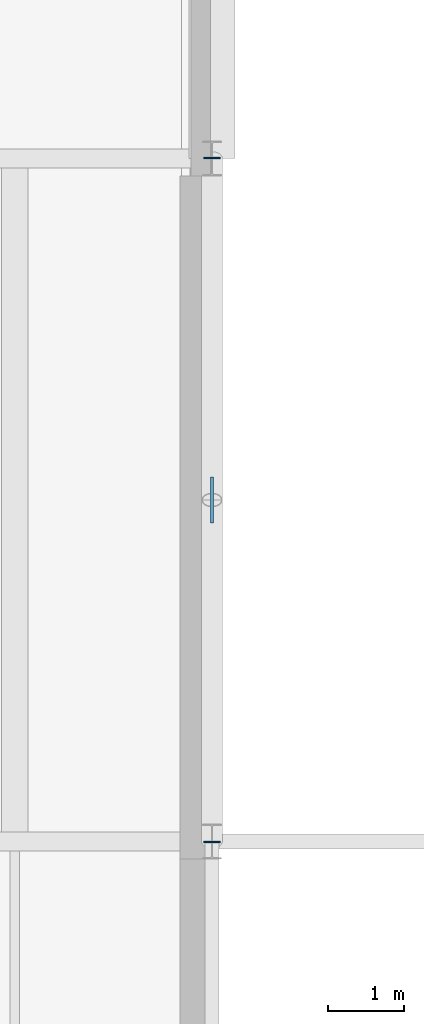
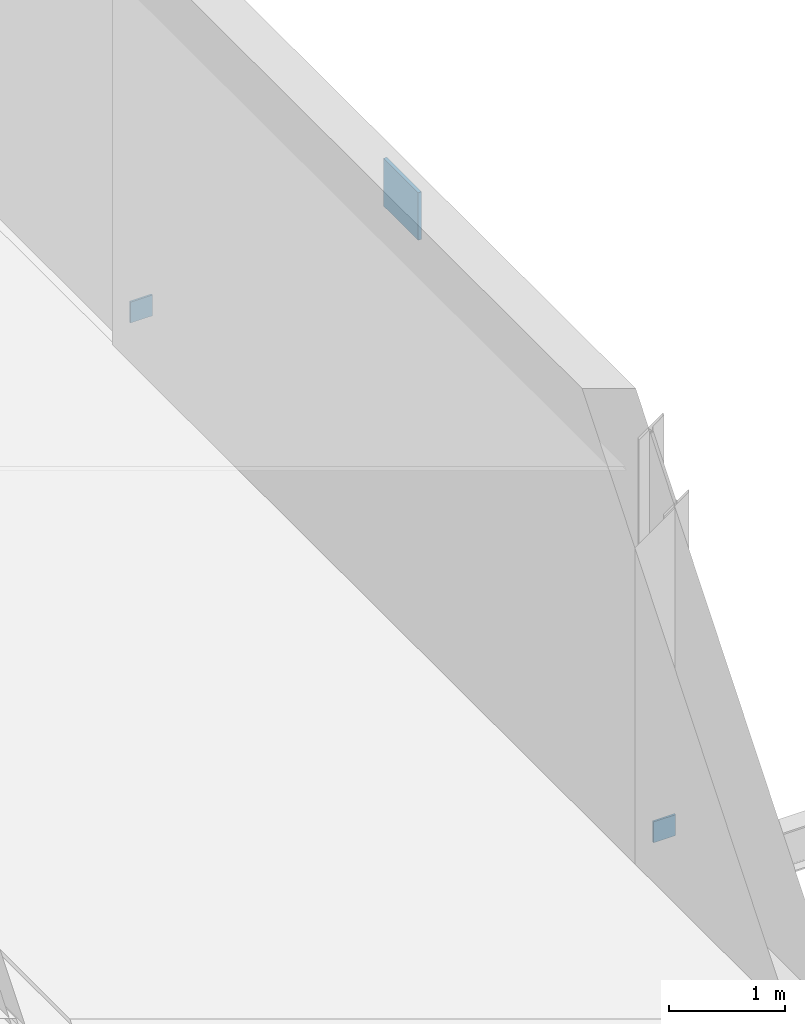
# One storey, part 28 of 38: 3 plates.
"""IFC4 building model written with IfcOpenShell, lengths in metres."""

from ifc_helpers import new_model, si_unit, derived_unit, direction, frame, origin, origin_2d, place, context, subcontext, project, spatial, rectangle, extrude, material, layer, layer_set, type_object, element, save


model = new_model("IFC4")

# Units and contexts
model_context = context("Model", 3, precision=1e-05, world=origin(), true_north=direction((0.0, 1.0)))
body_context = subcontext(model_context, "Body", "Model", "MODEL_VIEW")
ifc_project = project(units=[si_unit("LENGTHUNIT", "METRE"), si_unit("AREAUNIT", "SQUARE_METRE"), si_unit("VOLUMEUNIT", "CUBIC_METRE"), si_unit("PLANEANGLEUNIT", "RADIAN"), si_unit("MASSUNIT", "GRAM", prefix="KILO"), derived_unit("THERMALTRANSMITTANCEUNIT", [(si_unit("POWERUNIT", "WATT"), 1), (si_unit("LENGTHUNIT", "METRE"), -2), (si_unit("THERMODYNAMICTEMPERATUREUNIT", "KELVIN"), -1)])], contexts=[model_context])

# Site, building, storey
site_placement = place(None, origin())
site = spatial("IfcSite", under=ifc_project, at=site_placement, CompositionType="ELEMENT")
building_placement = place(site_placement, origin())
building = spatial("IfcBuilding", under=site, at=building_placement, Name="Nallur Shell Playhouse", CompositionType="ELEMENT")
storey_placement = place(building_placement, frame((0.0, 0.0, 24.300048828125)))
storey = spatial("IfcBuildingStorey", under=building, at=storey_placement, Name="L06", CompositionType="ELEMENT", Elevation=24.300048828125)

# Plates
ifc_material = material(Name="Steel E350", Category="steel")
ifc_layer_1 = layer(ifc_material, 0.02001953125)
ifc_layer_set_1 = layer_set([ifc_layer_1], Name="Steel E350")
plate_type_1 = type_object("IfcPlateType", Name="PT-ENDCAP-20", PredefinedType="SHEET", material=ifc_layer_set_1)
for number, where, z_axis, x_axis, name in (
    (1, (103.0, 55.992431640625, 0.033203125), (0.0, 0.0, 1.0), (1.0, 0.0, 0.0), "Hollow end cap EC-BR-FT-L06-043-0"),
    (2, (103.0, 65.007568359375, 0.033203125), (0.0, 0.0, 1.0), (1.0, 0.0, 0.0), "Hollow end cap EC-BR-FT-L06-044-0"),
):
    element("IfcPlate", number, at=place(storey_placement, frame(where, z_axis=z_axis, x_axis=x_axis)), inside=storey, type_object=plate_type_1, Name=name, PredefinedType="SHEET", context=body_context, shape_type="SweptSolid", body=[
        extrude(rectangle(XDim=0.219970703125, YDim=0.02001953125, at=origin_2d()), origin(), (0.0, 0.0, 1.0), 0.219970703125),
    ])
ifc_layer_2 = layer(ifc_material, 0.034912109375)
ifc_layer_set_2 = layer_set([ifc_layer_2], Name="Steel E350")
plate_type_2 = type_object("IfcPlateType", Name="PT-GUSSET-35", PredefinedType="USERDEFINED", material=ifc_layer_set_2)
plate_placement = place(storey_placement, frame((103.0, 60.5, 3.780029296875), z_axis=(0.0, 0.0, 1.0), x_axis=(1.0, 0.0, 0.0)))
element("IfcPlate", 3, at=plate_placement, inside=storey, type_object=plate_type_2, Name="Fly tower chevron node gusset plate TN-02 (L06)", ObjectType="GUSSET PLATE", PredefinedType="USERDEFINED", context=body_context, shape_type="SweptSolid", body=[
    extrude(rectangle(XDim=0.034912109375, YDim=0.60009765625, at=origin_2d()), origin(), (0.0, 0.0, 1.0), 0.5),
])

save(model, "model.ifc")
